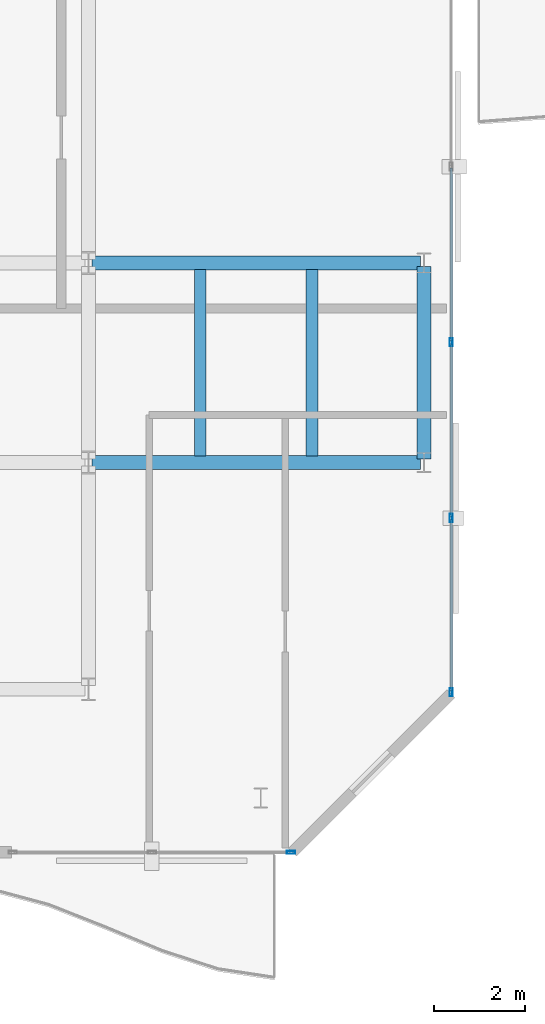
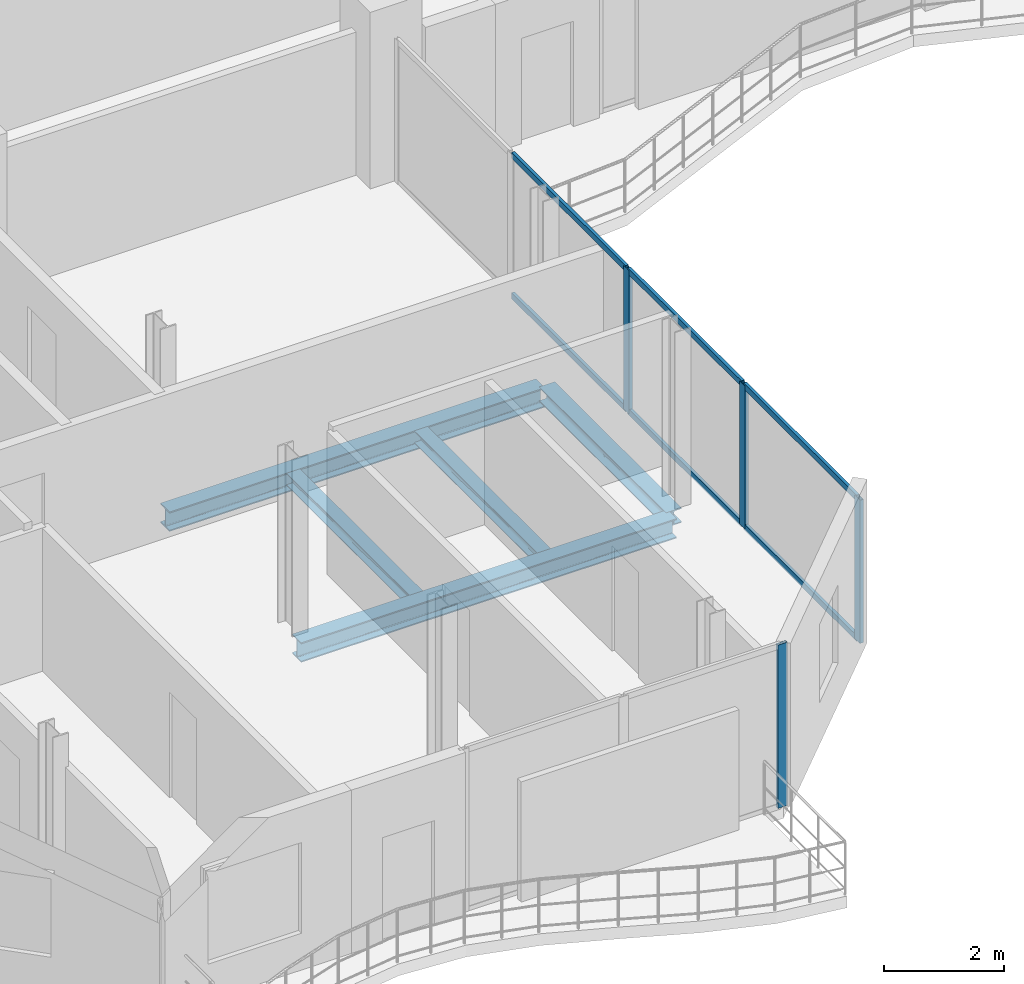
# One storey, part 6 of 23: 10 members, 5 beams, 2 elements without a shape of their own.
"""IFC4 building model written with IfcOpenShell, lengths in metres."""

import ifcopenshell
import ifcopenshell.guid

model = None  # the IFC model being written
_history = None  # IfcOwnerHistory: only IFC2X3 demands one
_inside = {}  # id of a spatial element -> (the spatial element, [elements in it])
_under = {}  # id of a project, library or spatial element -> (it, [spatial elements below it])
_declared = {}  # id of a project -> (the project, [libraries it declares])
_typed = {}  # id of a type object -> (the type object, [elements of that type])
_made_of = {}  # id of a material, layer set ... -> (it, [elements and type objects made of it])


def new_model(schema):
    """Start an empty IFC model of exactly this schema.

    Asked for "IFC4X3", IfcOpenShell would pick the latest addendum, in which some entities
    have other attributes; the version numbers below select the first issue.
    IFC2X3 requires an IfcOwnerHistory on every rooted entity: one is made here for all.
    """
    global model, _history
    if schema == "IFC4X3":
        model = ifcopenshell.file(schema_version=(4, 3, 0, 0))
    else:
        model = ifcopenshell.file(schema=schema)
    _inside.clear()
    _under.clear()
    _declared.clear()
    _typed.clear()
    _made_of.clear()
    _history = None
    if model.schema == "IFC2X3":
        org = make("IfcOrganization", Name="unknown")
        user = make(
            "IfcPersonAndOrganization",
            ThePerson=make("IfcPerson", FamilyName="unknown"),
            TheOrganization=org,
        )
        app = make(
            "IfcApplication",
            ApplicationDeveloper=org,
            Version="unknown",
            ApplicationFullName="unknown",
            ApplicationIdentifier="unknown",
        )
        _history = make(
            "IfcOwnerHistory",
            OwningUser=user,
            OwningApplication=app,
            ChangeAction="ADDED",
            CreationDate=0,
        )
    return model


def make(cls, **values):
    """One entity of the class cls with the attributes given. An attribute that is None is left unset."""
    return model.create_entity(
        cls, **{name: value for name, value in values.items() if value is not None}
    )


def rooted(cls, **values):
    """An entity with a GlobalId (a new one), such as an element, a storey or a relation."""
    return make(cls, GlobalId=ifcopenshell.guid.new(), OwnerHistory=_history, **values)


def si_unit(unit_type, name, prefix=None):
    """IfcSIUnit, for example si_unit("LENGTHUNIT", "METRE", prefix="MILLI")."""
    return make("IfcSIUnit", UnitType=unit_type, Prefix=prefix, Name=name)


def assignment(units):
    """IfcUnitAssignment: the units of a project."""
    return None if units is None else make("IfcUnitAssignment", Units=units)


def point(xyz):
    """IfcCartesianPoint."""
    return None if xyz is None else make("IfcCartesianPoint", Coordinates=xyz)


def direction(xyz):
    """IfcDirection."""
    return None if xyz is None else make("IfcDirection", DirectionRatios=xyz)


def frame(location, z_axis=None, x_axis=None):
    """IfcAxis2Placement3D, a coordinate frame: its origin and axes. An axis left out is left unset."""
    return make(
        "IfcAxis2Placement3D",
        Location=point(location),
        Axis=direction(z_axis),
        RefDirection=direction(x_axis),
    )


def frame_2d(location, x_axis=None):
    """IfcAxis2Placement2D, a coordinate frame in the plane: its origin and x axis."""
    return make(
        "IfcAxis2Placement2D", Location=point(location), RefDirection=direction(x_axis)
    )


def origin():
    """The frame at (0, 0, 0) with its axes left unset."""
    return frame((0.0, 0.0, 0.0))


def origin_2d():
    """The frame at (0, 0) in the plane with its x axis left unset."""
    return frame_2d((0.0, 0.0))


def place(relative_to, where):
    """IfcLocalPlacement: puts the frame where relative to a parent placement (None: the world)."""
    return make(
        "IfcLocalPlacement", PlacementRelTo=relative_to, RelativePlacement=where
    )


def context(
    kind, dimensions, precision=None, world=None, true_north=None, identifier=None
):
    """IfcGeometricRepresentationContext, for example the 3D "Model" context."""
    return make(
        "IfcGeometricRepresentationContext",
        ContextIdentifier=identifier,
        ContextType=kind,
        CoordinateSpaceDimension=dimensions,
        Precision=precision,
        WorldCoordinateSystem=world,
        TrueNorth=true_north,
    )


def subcontext(parent, identifier, kind, view, scale=None):
    """IfcGeometricRepresentationSubContext, for example "Body" below "Model"."""
    return make(
        "IfcGeometricRepresentationSubContext",
        ContextIdentifier=identifier,
        ContextType=kind,
        ParentContext=parent,
        TargetScale=scale,
        TargetView=view,
    )


def project(units=None, contexts=None):
    """IfcProject with its units and contexts."""
    return rooted(
        "IfcProject",
        Name="project",
        RepresentationContexts=contexts,
        UnitsInContext=assignment(units),
    )


def spatial(cls, under=None, at=None, **own):
    """A site, building, storey or space (cls), placed at a placement, below another one or the project."""
    s = rooted(cls, ObjectPlacement=at, **own)
    if under is not None:
        _under.setdefault(under.id(), (under, []))[1].append(s)
    return s


def profile(cls, at=None, kind="AREA", **sizes):
    """A parametric profile (cls). Its sizes go by their IFC names, for example OverallWidth=200.0."""
    return make(cls, ProfileType=kind, Position=at, **sizes)


def hollow_rectangle(**sizes):
    """IfcRectangleHollowProfileDef."""
    return profile("IfcRectangleHollowProfileDef", **sizes)


def i_section(**sizes):
    """IfcIShapeProfileDef."""
    return profile("IfcIShapeProfileDef", **sizes)


def extrude(swept, where, along, depth):
    """IfcExtrudedAreaSolid: the profile swept, set in the frame where, extruded along a direction by depth."""
    return make(
        "IfcExtrudedAreaSolid",
        SweptArea=swept,
        Position=where,
        ExtrudedDirection=direction(along),
        Depth=depth,
    )


def shape(context_of_items, identifier, shape_type, items):
    """IfcShapeRepresentation: the items that make up one representation, for example the "Body"."""
    return make(
        "IfcShapeRepresentation",
        ContextOfItems=context_of_items,
        RepresentationIdentifier=identifier,
        RepresentationType=shape_type,
        Items=items,
    )


def material(Name=None, Category=None):
    """IfcMaterial."""
    return make("IfcMaterial", Name=Name, Category=Category)


def layer(
    of_material, thickness, ventilated=None, Name=None, Category=None, Priority=None
):
    """IfcMaterialLayer: one layer of a wall or slab, of a material (None: an air gap)."""
    return make(
        "IfcMaterialLayer",
        Material=of_material,
        LayerThickness=thickness,
        IsVentilated=ventilated,
        Name=Name,
        Category=Category,
        Priority=Priority,
    )


def layer_set(layers, Name=None):
    """IfcMaterialLayerSet."""
    return make("IfcMaterialLayerSet", MaterialLayers=layers, LayerSetName=Name)


def material_profile(
    of_material, cross_section, Name=None, Category=None, Priority=None
):
    """IfcMaterialProfile: a cross section and its material."""
    return make(
        "IfcMaterialProfile",
        Name=Name,
        Material=of_material,
        Profile=cross_section,
        Priority=Priority,
        Category=Category,
    )


def profile_set(profiles, Name=None, composite=None):
    """IfcMaterialProfileSet."""
    return make(
        "IfcMaterialProfileSet",
        Name=Name,
        MaterialProfiles=profiles,
        CompositeProfile=composite,
    )


def made_of(thing, what):
    """Note that an element or type object is made of a material, layer set ...; save() writes the relation."""
    if what is not None:
        _made_of.setdefault(what.id(), (what, []))[1].append(thing)
    return thing


def type_object(cls, material=None, **own):
    """A type object (cls), such as IfcWallType, which elements share."""
    return made_of(rooted(cls, **own), material)


def element(
    cls,
    number,
    at=None,
    inside=None,
    cuts=None,
    type_object=None,
    material=None,
    context=None,
    identifier="Body",
    shape_type=None,
    held_by="IfcProductDefinitionShape",
    body=None,
    shapes=None,
    **own,
):
    """One element of the class cls, such as IfcWall. Its Tag is "e" and its number.

    at: its placement. inside: the storey or other place that contains it. cuts: it is an
    opening in that element (IfcRelVoidsElement). A single representation is given by context,
    identifier, shape_type and body (its items); several are given by shapes. held_by: the class
    of the entity that holds the representations. save() writes the other relations.
    """
    e = rooted(cls, Tag="e%d" % number, ObjectPlacement=at, **own)
    if body is not None:
        shapes = [shape(context, identifier, shape_type, body)]
    if shapes is not None:
        e.Representation = make(held_by, Representations=shapes)
    if inside is not None:
        _inside.setdefault(inside.id(), (inside, []))[1].append(e)
    if cuts is not None:
        rooted(
            "IfcRelVoidsElement", RelatingBuildingElement=cuts, RelatedOpeningElement=e
        )
    if type_object is not None:
        _typed.setdefault(type_object.id(), (type_object, []))[1].append(e)
    return made_of(e, material)


def aggregate(whole, parts):
    """IfcRelAggregates: a whole, such as a stair, and the parts it consists of."""
    return rooted("IfcRelAggregates", RelatingObject=whole, RelatedObjects=parts)


def save(model, path):
    """Write the relations noted so far, then the file.

    IfcRelAggregates (storeys below a building ...), IfcRelContainedInSpatialStructure (elements
    in a storey), IfcRelDefinesByType, IfcRelAssociatesMaterial and IfcRelDeclares: one each for
    every whole, place, type object, material and project.
    """
    for whole, parts in _under.values():
        aggregate(whole, parts)
    for where, things in _inside.values():
        rooted(
            "IfcRelContainedInSpatialStructure",
            RelatedElements=things,
            RelatingStructure=where,
        )
    for kind, things in _typed.values():
        rooted("IfcRelDefinesByType", RelatedObjects=things, RelatingType=kind)
    for what, things in _made_of.values():
        rooted("IfcRelAssociatesMaterial", RelatedObjects=things, RelatingMaterial=what)
    for by, libraries in _declared.values():
        rooted("IfcRelDeclares", RelatingContext=by, RelatedDefinitions=libraries)
    model.write(path)


model = new_model("IFC4")

# Units and contexts
model_context = context("Model", 3, precision=1e-05, world=origin(), true_north=direction((0.0, 1.0)))
body_context = subcontext(model_context, "Body", "Model", "MODEL_VIEW")
ifc_project = project(units=[si_unit("LENGTHUNIT", "METRE"), si_unit("AREAUNIT", "SQUARE_METRE"), si_unit("VOLUMEUNIT", "CUBIC_METRE"), si_unit("PLANEANGLEUNIT", "RADIAN"), si_unit("MASSUNIT", "GRAM", prefix="KILO")], contexts=[model_context])

# Site, building, storey
site_placement = place(None, origin())
site = spatial("IfcSite", under=ifc_project, at=site_placement, CompositionType="ELEMENT")
building_placement = place(site_placement, origin())
building = spatial("IfcBuilding", under=site, at=building_placement, Name="Catumbela Crestline Tower", CompositionType="ELEMENT")
storey_placement = place(building_placement, frame((0.0, 0.0, 197.4)))
storey = spatial("IfcBuildingStorey", under=building, at=storey_placement, Name="L51", CompositionType="ELEMENT", Elevation=197.4)

# Beams
ifc_material_1 = material(Name="Structural steel S355J2", Category="steel")
ifc_material_profile_1 = material_profile(ifc_material_1, i_section(OverallWidth=0.3, OverallDepth=0.4, WebThickness=0.0135, FlangeThickness=0.024, FilletRadius=0.027, at=origin_2d()), Name="HEB 400")
ifc_profile_set_1 = profile_set([ifc_material_profile_1], Name="Structural steel S355J2")
beam_type_1 = type_object("IfcBeamType", Name="BG-HEB400", PredefinedType="BEAM", material=ifc_profile_set_1)
for number, where, z_axis, x_axis, name in (
    (1, (16.08, 13.6, -0.46), (1.0, 0.0, 0.0), (0.0, 1.0, 0.0), "L51 Beam BM-L51-WEW34"),
    (2, (16.08, 18.0, -0.46), (1.0, 0.0, 0.0), (0.0, 1.0, 0.0), "L51 Beam BM-L51-WEW36"),
):
    element("IfcBeam", number, at=place(storey_placement, frame(where, z_axis=z_axis, x_axis=x_axis)), inside=storey, type_object=beam_type_1, Name=name, PredefinedType="BEAM", context=body_context, shape_type="SweptSolid", body=[
        extrude(i_section(OverallWidth=0.3, OverallDepth=0.4, WebThickness=0.0135, FlangeThickness=0.024, FilletRadius=0.027, at=origin_2d()), origin(), (0.0, 0.0, 1.0), 7.24),
    ])
ifc_material_profile_2 = material_profile(ifc_material_1, i_section(OverallWidth=0.26, OverallDepth=0.25, WebThickness=0.0075, FlangeThickness=0.0125, FilletRadius=0.024, at=origin_2d()), Name="HEA 260")
ifc_profile_set_2 = profile_set([ifc_material_profile_2], Name="Structural steel S355J2")
beam_type_2 = type_object("IfcBeamType", Name="BJ-HEA260", PredefinedType="JOIST", material=ifc_profile_set_2)
for number, where, z_axis, x_axis, name in (
    (3, (18.467, 13.747, -0.385), (0.0, 1.0, 0.0), (-1.0, 0.0, 0.0), "L51 Joist JS-L51-WG48"),
    (4, (20.933, 13.747, -0.385), (0.0, 1.0, 0.0), (-1.0, 0.0, 0.0), "L51 Joist JS-L51-WG49"),
):
    element("IfcBeam", number, at=place(storey_placement, frame(where, z_axis=z_axis, x_axis=x_axis)), inside=storey, type_object=beam_type_2, Name=name, PredefinedType="JOIST", context=body_context, shape_type="SweptSolid", body=[
        extrude(i_section(OverallWidth=0.26, OverallDepth=0.25, WebThickness=0.0075, FlangeThickness=0.0125, FilletRadius=0.024, at=origin_2d()), origin(), (0.0, 0.0, 1.0), 4.106),
    ])

# Curtain wall, member
ifc_material_2 = material(Name="Aluminium alloy AW-6060-T66", Category="aluminium")
ifc_layer = layer(ifc_material_2, 0.18, Name="Aluminium alloy AW-6060-T66")
ifc_layer_set = layer_set([ifc_layer], Name="Aluminium alloy AW-6060-T66")
curtain_wall_type = type_object("IfcCurtainWallType", Name="CWU-Z3", PredefinedType="USERDEFINED", material=ifc_layer_set)
curtain_wall_1_placement = place(storey_placement, origin())
curtain_wall_1 = element("IfcCurtainWall", 5, at=curtain_wall_1_placement, inside=storey, type_object=curtain_wall_type, Name="L51 Unitised Curtain Wall CW-L51-E0S2", ObjectType="UNITISED", PredefinedType="USERDEFINED")
ifc_material_profile_3 = material_profile(ifc_material_2, hollow_rectangle(XDim=0.065, YDim=0.18, WallThickness=0.004, at=origin_2d()), Name="ALU 180x65x4")
ifc_profile_set_3 = profile_set([ifc_material_profile_3], Name="Aluminium alloy AW-6060-T66")
member_type_1 = type_object("IfcMemberType", Name="MUL-180X65", PredefinedType="MULLION", material=ifc_profile_set_3)
member_1_placement = place(storey_placement, frame((20.4675, 5.0, 0.0), z_axis=(0.0, 0.0, 1.0), x_axis=(0.0, 1.0, 0.0)))
member_1 = element("IfcMember", 6, at=member_1_placement, type_object=member_type_1, Name="CWU-Z3 mullion 3", PredefinedType="MULLION", context=body_context, shape_type="SweptSolid", body=[
    extrude(hollow_rectangle(XDim=0.065, YDim=0.18, WallThickness=0.004, at=origin_2d()), origin(), (0.0, 0.0, 1.0), 3.33),
])
aggregate(curtain_wall_1, [member_1])

# Curtain wall, members
curtain_wall_2_placement = place(storey_placement, origin())
curtain_wall_2 = element("IfcCurtainWall", 7, at=curtain_wall_2_placement, inside=storey, type_object=curtain_wall_type, Name="L51 Unitised Curtain Wall CW-L51-E2S1", ObjectType="UNITISED", PredefinedType="USERDEFINED")
member_2_placement = place(storey_placement, frame((24.0, 8.5325, 0.0), z_axis=(0.0, 0.0, 1.0), x_axis=(-1.0, 0.0, 0.0)))
member_2 = element("IfcMember", 8, at=member_2_placement, type_object=member_type_1, Name="CWU-Z3 mullion 1", PredefinedType="MULLION", context=body_context, shape_type="SweptSolid", body=[
    extrude(hollow_rectangle(XDim=0.065, YDim=0.18, WallThickness=0.004, at=origin_2d()), origin(), (0.0, 0.0, 1.0), 2.92),
])
member_3_placement = place(storey_placement, frame((24.0, 12.375, 0.0), z_axis=(0.0, 0.0, 1.0), x_axis=(-1.0, 0.0, 0.0)))
member_3 = element("IfcMember", 9, at=member_3_placement, type_object=member_type_1, Name="CWU-Z3 mullion 2", PredefinedType="MULLION", context=body_context, shape_type="SweptSolid", body=[
    extrude(hollow_rectangle(XDim=0.065, YDim=0.18, WallThickness=0.004, at=origin_2d()), origin(), (0.0, 0.0, 1.0), 2.92),
])
member_4_placement = place(storey_placement, frame((24.0, 16.25, 0.0), z_axis=(0.0, 0.0, 1.0), x_axis=(-1.0, 0.0, 0.0)))
member_4 = element("IfcMember", 10, at=member_4_placement, type_object=member_type_1, Name="CWU-Z3 mullion 3", PredefinedType="MULLION", context=body_context, shape_type="SweptSolid", body=[
    extrude(hollow_rectangle(XDim=0.065, YDim=0.18, WallThickness=0.004, at=origin_2d()), origin(), (0.0, 0.0, 1.0), 2.92),
])

# Beam
ifc_material_profile_4 = material_profile(ifc_material_1, i_section(OverallWidth=0.3, OverallDepth=0.3, WebThickness=0.011, FlangeThickness=0.019, FilletRadius=0.027, at=origin_2d()), Name="HEB 300")
ifc_profile_set_4 = profile_set([ifc_material_profile_4], Name="Structural steel S355J2")
beam_type_3 = type_object("IfcBeamType", Name="BS-HEB300", PredefinedType="SPANDREL", material=ifc_profile_set_4)
beam_placement = place(storey_placement, frame((23.4, 13.68, -0.41), z_axis=(0.0, 1.0, 0.0), x_axis=(-1.0, 0.0, 0.0)))
element("IfcBeam", 11, at=beam_placement, inside=storey, type_object=beam_type_3, Name="L51 Spandrel SP-L51-WNS43", PredefinedType="SPANDREL", context=body_context, shape_type="SweptSolid", body=[
    extrude(i_section(OverallWidth=0.3, OverallDepth=0.3, WebThickness=0.011, FlangeThickness=0.019, FilletRadius=0.027, at=origin_2d()), origin(), (0.0, 0.0, 1.0), 4.24),
])

# Member
ifc_material_profile_5 = material_profile(ifc_material_2, hollow_rectangle(XDim=0.06, YDim=0.12, WallThickness=0.0035, at=origin_2d()), Name="ALU 120x60x3.5")
ifc_profile_set_5 = profile_set([ifc_material_profile_5], Name="Aluminium alloy AW-6060-T66")
member_type_2 = type_object("IfcMemberType", Name="TRN-120X60", PredefinedType="USERDEFINED", material=ifc_profile_set_5)
member_5_placement = place(storey_placement, frame((24.0, 8.565, 0.03), z_axis=(0.0, 1.0, 0.0), x_axis=(-1.0, 0.0, 0.0)))
member_5 = element("IfcMember", 12, at=member_5_placement, type_object=member_type_2, Name="CWU-Z3 transom 1.1", ObjectType="TRANSOM", PredefinedType="USERDEFINED", context=body_context, shape_type="SweptSolid", body=[
    extrude(hollow_rectangle(XDim=0.06, YDim=0.12, WallThickness=0.0035, at=origin_2d()), origin(), (0.0, 0.0, 1.0), 3.7775),
])

member_6_placement = place(storey_placement, frame((24.0, 8.565, 2.89), z_axis=(0.0, 1.0, 0.0), x_axis=(-1.0, 0.0, 0.0)))
member_6 = element("IfcMember", 13, at=member_6_placement, type_object=member_type_2, Name="CWU-Z3 transom 1.2", ObjectType="TRANSOM", PredefinedType="USERDEFINED", context=body_context, shape_type="SweptSolid", body=[
    extrude(hollow_rectangle(XDim=0.06, YDim=0.12, WallThickness=0.0035, at=origin_2d()), origin(), (0.0, 0.0, 1.0), 3.7775),
])

member_7_placement = place(storey_placement, frame((24.0, 12.4075, 0.03), z_axis=(0.0, 1.0, 0.0), x_axis=(-1.0, 0.0, 0.0)))
member_7 = element("IfcMember", 14, at=member_7_placement, type_object=member_type_2, Name="CWU-Z3 transom 2.1", ObjectType="TRANSOM", PredefinedType="USERDEFINED", context=body_context, shape_type="SweptSolid", body=[
    extrude(hollow_rectangle(XDim=0.06, YDim=0.12, WallThickness=0.0035, at=origin_2d()), origin(), (0.0, 0.0, 1.0), 3.81),
])

member_8_placement = place(storey_placement, frame((24.0, 12.4075, 2.89), z_axis=(0.0, 1.0, 0.0), x_axis=(-1.0, 0.0, 0.0)))
member_8 = element("IfcMember", 15, at=member_8_placement, type_object=member_type_2, Name="CWU-Z3 transom 2.2", ObjectType="TRANSOM", PredefinedType="USERDEFINED", context=body_context, shape_type="SweptSolid", body=[
    extrude(hollow_rectangle(XDim=0.06, YDim=0.12, WallThickness=0.0035, at=origin_2d()), origin(), (0.0, 0.0, 1.0), 3.81),
])

member_9_placement = place(storey_placement, frame((24.0, 16.2825, 0.03), z_axis=(0.0, 1.0, 0.0), x_axis=(-1.0, 0.0, 0.0)))
member_9 = element("IfcMember", 16, at=member_9_placement, type_object=member_type_2, Name="CWU-Z3 transom 3.1", ObjectType="TRANSOM", PredefinedType="USERDEFINED", context=body_context, shape_type="SweptSolid", body=[
    extrude(hollow_rectangle(XDim=0.06, YDim=0.12, WallThickness=0.0035, at=origin_2d()), origin(), (0.0, 0.0, 1.0), 3.81),
])

member_10_placement = place(storey_placement, frame((24.0, 16.2825, 2.89), z_axis=(0.0, 1.0, 0.0), x_axis=(-1.0, 0.0, 0.0)))
member_10 = element("IfcMember", 17, at=member_10_placement, type_object=member_type_2, Name="CWU-Z3 transom 3.2", ObjectType="TRANSOM", PredefinedType="USERDEFINED", context=body_context, shape_type="SweptSolid", body=[
    extrude(hollow_rectangle(XDim=0.06, YDim=0.12, WallThickness=0.0035, at=origin_2d()), origin(), (0.0, 0.0, 1.0), 3.81),
])

aggregate(curtain_wall_2, [member_2, member_3, member_4, member_5, member_6, member_7, member_8, member_9, member_10])

save(model, "model.ifc")
